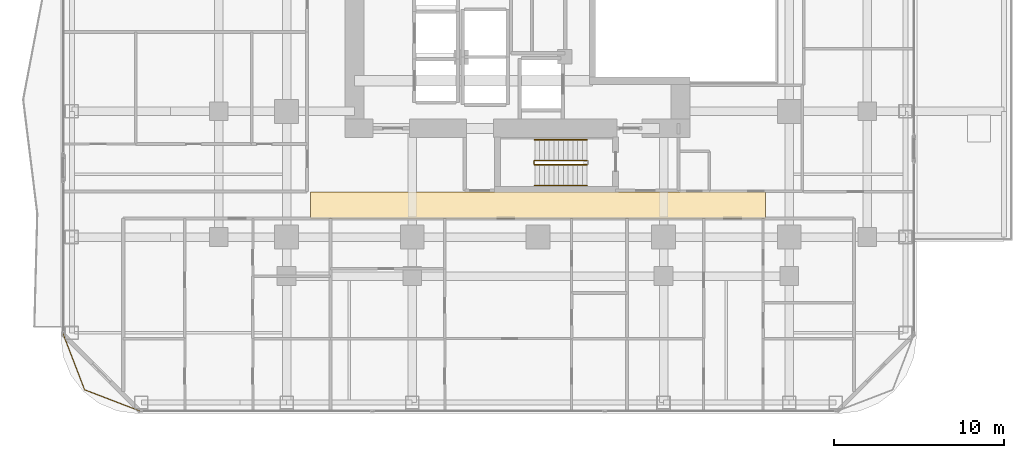
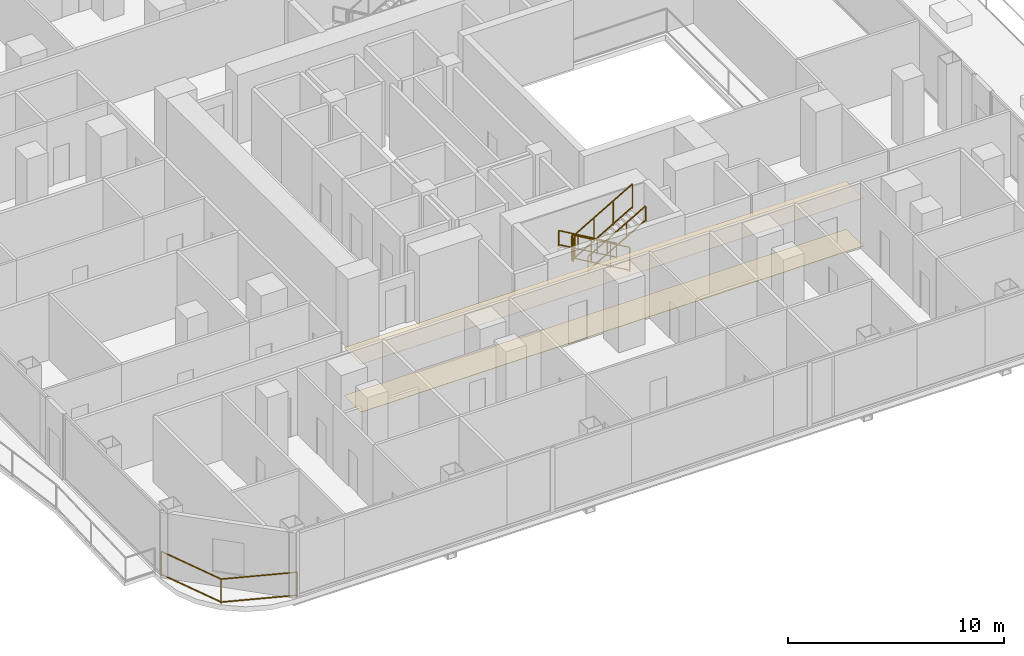
# One storey, part 25 of 29: 6 railings, 2 coverings.
"""IFC4 building model written with IfcOpenShell, lengths in metres."""

from ifc_helpers import new_model, si_unit, direction, frame, origin, origin_2d, place, context, subcontext, project, spatial, polyline, rectangle, outline, extrude, material, layer, layer_set, type_object, element, save


model = new_model("IFC4")

# Units and contexts
model_context = context("Model", 3, precision=1e-05, world=origin(), true_north=direction((0.0, 1.0)))
body_context = subcontext(model_context, "Body", "Model", "MODEL_VIEW")
ifc_project = project(units=[si_unit("LENGTHUNIT", "METRE"), si_unit("AREAUNIT", "SQUARE_METRE"), si_unit("VOLUMEUNIT", "CUBIC_METRE"), si_unit("PLANEANGLEUNIT", "RADIAN"), si_unit("MASSUNIT", "GRAM", prefix="KILO")], contexts=[model_context])

# Site, building, storey
site_placement = place(None, origin())
site = spatial("IfcSite", under=ifc_project, at=site_placement, CompositionType="ELEMENT")
building_placement = place(site_placement, origin())
building = spatial("IfcBuilding", under=site, at=building_placement, Name="Khorvyn Point Tower", CompositionType="ELEMENT")
storey_placement = place(building_placement, frame((0.0, 0.0, 54.0)))
storey = spatial("IfcBuildingStorey", under=building, at=storey_placement, Name="L14", CompositionType="ELEMENT", Elevation=54.0)

# Railing
ifc_material_1 = material(Name="Anodised aluminium 6063-T6 and laminated safety glass", Category="aluminium")
railing_type_1 = type_object("IfcRailingType", Name="Laminated Glass and Aluminium Balcony Guardrail 1400", PredefinedType="BALUSTRADE", material=ifc_material_1)
railing_1_placement = place(storey_placement, frame((-27.97412109375, -20.470703125, 0.0)))
element("IfcRailing", 1, at=railing_1_placement, inside=storey, type_object=railing_type_1, Name="L14 Rounded Corner Edge Guardrail SW", PredefinedType="BALUSTRADE", context=body_context, shape_type="SweptSolid", body=[
    extrude(rectangle(XDim=0.048095703125, YDim=0.048095703125, at=origin_2d()), frame((0.0, 0.0, 1.3759765625), z_axis=(0.35841886047, -0.933560882031, 0.0), x_axis=(0.933560882031, 0.35841886047, 0.0)), (0.0, 0.0, 1.0), 3.563232421875),
    extrude(rectangle(XDim=0.048095703125, YDim=0.048095703125, at=origin_2d()), frame((0.0, 0.0, 0.080078125), z_axis=(0.35841886047, -0.933560882031, 0.0), x_axis=(0.933560882031, 0.35841886047, 0.0)), (0.0, 0.0, 1.0), 3.563232421875),
    extrude(rectangle(XDim=0.048095703125, YDim=0.048095703125, at=origin_2d()), frame((1.277099609375, -3.326416015625, 1.3759765625), z_axis=(0.933575007025, -0.358382067435, 0.0), x_axis=(0.358382067435, 0.933575007025, 0.0)), (0.0, 0.0, 1.0), 3.562744140625),
    extrude(rectangle(XDim=0.048095703125, YDim=0.048095703125, at=origin_2d()), frame((1.277099609375, -3.326416015625, 0.080078125), z_axis=(0.933575007025, -0.358382067435, 0.0), x_axis=(0.358382067435, 0.933575007025, 0.0)), (0.0, 0.0, 1.0), 3.562744140625),
    extrude(rectangle(XDim=0.0419921875, YDim=0.0419921875, at=origin_2d()), origin(), (0.0, 0.0, 1.0), 1.351806640625),
    extrude(rectangle(XDim=0.0419921875, YDim=0.0419921875, at=origin_2d()), frame((1.277099609375, -3.326416015625, 0.0)), (0.0, 0.0, 1.0), 1.351806640625),
    extrude(rectangle(XDim=0.0419921875, YDim=0.0419921875, at=origin_2d()), frame((4.603271484375, -4.603271484375, 0.0)), (0.0, 0.0, 1.0), 1.351806640625),
])

# Coverings
ifc_material_2 = material(Name="Mineral-fibre acoustic ceiling board", Category="gypsum")
ifc_layer_1 = layer(ifc_material_2, 0.02001953125)
ifc_layer_set_1 = layer_set([ifc_layer_1], Name="Perforated Mineral-Fibre Acoustic Suspended Ceiling 20")
covering_type_1 = type_object("IfcCoveringType", Name="Perforated Mineral-Fibre Acoustic Suspended Ceiling 20", PredefinedType="CEILING", material=ifc_layer_set_1)
covering_1_placement = place(storey_placement, frame((0.0, 0.0, 2.699951171875)))
element("IfcCovering", 2, at=covering_1_placement, inside=storey, type_object=covering_type_1, Name="L14 South Corridor Acoustic Ceiling", PredefinedType="CEILING", context=body_context, shape_type="SweptSolid", body=[
    extrude(outline(polyline([(-13.39990234375, -13.7099609375), (13.39990234375, -13.7099609375), (13.39990234375, -12.139892578125), (-13.39990234375, -12.139892578125), (-13.39990234375, -13.7099609375)])), origin(), (0.0, 0.0, 1.0), 0.02001953125),
])
ifc_material_3 = material(Name="Vitrified porcelain terrazzo tile", Category="ceramic")
ifc_layer_2 = layer(ifc_material_3, 0.01806640625)
ifc_layer_set_2 = layer_set([ifc_layer_2], Name="Porcelain Terrazzo Corridor Floor Finish Tile 18")
covering_type_2 = type_object("IfcCoveringType", Name="Porcelain Terrazzo Corridor Floor Finish Tile 18", PredefinedType="FLOORING", material=ifc_layer_set_2)
covering_2_placement = place(storey_placement, origin())
element("IfcCovering", 3, at=covering_2_placement, inside=storey, type_object=covering_type_2, Name="L14 South Corridor Terrazzo Flooring", PredefinedType="FLOORING", context=body_context, shape_type="SweptSolid", body=[
    extrude(outline(polyline([(-13.39990234375, -13.7099609375), (13.39990234375, -13.7099609375), (13.39990234375, -12.139892578125), (-13.39990234375, -12.139892578125), (-13.39990234375, -13.7099609375)])), origin(), (0.0, 0.0, 1.0), 0.01806640625),
])

# Railings
ifc_material_4 = material(Name="Stainless steel 1.4301", Category="steel")
railing_type_2 = type_object("IfcRailingType", Name="Stainless Steel 304 Stair Pitch Handrail 900", PredefinedType="HANDRAIL", material=ifc_material_4)
railing_2_placement = place(storey_placement, frame((2.89990234375, -9.070068359375, 0.16259765625)))
element("IfcRailing", 4, at=railing_2_placement, inside=storey, type_object=railing_type_2, Name="L14 ST-01 stair handrail 1", PredefinedType="HANDRAIL", context=body_context, shape_type="SweptSolid", body=[
    extrude(rectangle(XDim=0.048095703125, YDim=0.048095703125, at=origin_2d()), frame((0.0, 0.0, 0.8759765625), z_axis=(-0.864903211148, 0.0, 0.501938676878), x_axis=(0.0, -1.0, 0.0)), (0.0, 0.0, 1.0), 3.560791015625),
    extrude(rectangle(XDim=0.048095703125, YDim=0.048095703125, at=origin_2d()), frame((0.0, 0.0, 0.080078125), z_axis=(-0.864903211148, 0.0, 0.501938676878), x_axis=(0.0, -1.0, 0.0)), (0.0, 0.0, 1.0), 3.560791015625),
    extrude(rectangle(XDim=0.0419921875, YDim=0.0419921875, at=origin_2d()), origin(), (0.0, 0.0, 1.0), 0.851806640625),
    extrude(rectangle(XDim=0.0419921875, YDim=0.0419921875, at=origin_2d()), frame((-1.026611328125, 0.0, 0.595703125)), (0.0, 0.0, 1.0), 0.851806640625),
    extrude(rectangle(XDim=0.0419921875, YDim=0.0419921875, at=origin_2d()), frame((-2.05322265625, 0.0, 1.191650390625)), (0.0, 0.0, 1.0), 0.851806640625),
    extrude(rectangle(XDim=0.0419921875, YDim=0.0419921875, at=origin_2d()), frame((-3.079833984375, 0.0, 1.787353515625)), (0.0, 0.0, 1.0), 0.851806640625),
])
railing_3_placement = place(storey_placement, frame((-0.179931640625, -11.77001953125, 2.112548828125)))
element("IfcRailing", 5, at=railing_3_placement, inside=storey, type_object=railing_type_2, Name="L14 ST-01 stair handrail 2", PredefinedType="HANDRAIL", context=body_context, shape_type="SweptSolid", body=[
    extrude(rectangle(XDim=0.048095703125, YDim=0.048095703125, at=origin_2d()), frame((0.0, 0.0, 0.8759765625), z_axis=(0.864903211148, 0.0, 0.501938676878), x_axis=(0.0, 1.0, 0.0)), (0.0, 0.0, 1.0), 3.560791015625),
    extrude(rectangle(XDim=0.048095703125, YDim=0.048095703125, at=origin_2d()), frame((0.0, 0.0, 0.080078125), z_axis=(0.864903211148, 0.0, 0.501938676878), x_axis=(0.0, 1.0, 0.0)), (0.0, 0.0, 1.0), 3.560791015625),
    extrude(rectangle(XDim=0.0419921875, YDim=0.0419921875, at=origin_2d()), origin(), (0.0, 0.0, 1.0), 0.851806640625),
    extrude(rectangle(XDim=0.0419921875, YDim=0.0419921875, at=origin_2d()), frame((1.026611328125, 0.0, 0.595703125)), (0.0, 0.0, 1.0), 0.851806640625),
    extrude(rectangle(XDim=0.0419921875, YDim=0.0419921875, at=origin_2d()), frame((2.05322265625, 0.0, 1.191650390625)), (0.0, 0.0, 1.0), 0.851806640625),
    extrude(rectangle(XDim=0.0419921875, YDim=0.0419921875, at=origin_2d()), frame((3.079833984375, 0.0, 1.787353515625)), (0.0, 0.0, 1.0), 0.851806640625),
])
railing_type_3 = type_object("IfcRailingType", Name="Stainless Steel 304 Stair Well Guardrail 1400", PredefinedType="GUARDRAIL", material=ifc_material_4)
railing_4_placement = place(storey_placement, frame((2.89990234375, -10.2900390625, 0.16259765625)))
element("IfcRailing", 6, at=railing_4_placement, inside=storey, type_object=railing_type_3, Name="L14 ST-01 stair guard 1", PredefinedType="GUARDRAIL", context=body_context, shape_type="SweptSolid", body=[
    extrude(rectangle(XDim=0.048095703125, YDim=0.048095703125, at=origin_2d()), frame((0.0, 0.0, 1.3759765625), z_axis=(-0.864903211148, 0.0, 0.501938676878), x_axis=(0.0, -1.0, 0.0)), (0.0, 0.0, 1.0), 3.560791015625),
    extrude(rectangle(XDim=0.048095703125, YDim=0.048095703125, at=origin_2d()), frame((0.0, 0.0, 0.080078125), z_axis=(-0.864903211148, 0.0, 0.501938676878), x_axis=(0.0, -1.0, 0.0)), (0.0, 0.0, 1.0), 3.560791015625),
    extrude(rectangle(XDim=0.0419921875, YDim=0.0419921875, at=origin_2d()), origin(), (0.0, 0.0, 1.0), 1.351806640625),
    extrude(rectangle(XDim=0.0419921875, YDim=0.0419921875, at=origin_2d()), frame((-1.026611328125, 0.0, 0.595703125)), (0.0, 0.0, 1.0), 1.351806640625),
    extrude(rectangle(XDim=0.0419921875, YDim=0.0419921875, at=origin_2d()), frame((-2.05322265625, 0.0, 1.191650390625)), (0.0, 0.0, 1.0), 1.351806640625),
    extrude(rectangle(XDim=0.0419921875, YDim=0.0419921875, at=origin_2d()), frame((-3.079833984375, 0.0, 1.787353515625)), (0.0, 0.0, 1.0), 1.351806640625),
])
railing_5_placement = place(storey_placement, frame((-0.22998046875, -10.340087890625, 1.949951171875)))
element("IfcRailing", 7, at=railing_5_placement, inside=storey, type_object=railing_type_3, Name="L14 ST-01 stair guard 2", PredefinedType="GUARDRAIL", context=body_context, shape_type="SweptSolid", body=[
    extrude(rectangle(XDim=0.048095703125, YDim=0.048095703125, at=origin_2d()), frame((0.0, 0.0, 1.3759765625), z_axis=(0.0, -1.0, 0.0), x_axis=(1.0, 0.0, 0.0)), (0.0, 0.0, 1.0), 0.159912109375),
    extrude(rectangle(XDim=0.048095703125, YDim=0.048095703125, at=origin_2d()), frame((0.0, 0.0, 0.080078125), z_axis=(0.0, -1.0, 0.0), x_axis=(1.0, 0.0, 0.0)), (0.0, 0.0, 1.0), 0.159912109375),
    extrude(rectangle(XDim=0.0419921875, YDim=0.0419921875, at=origin_2d()), origin(), (0.0, 0.0, 1.0), 1.351806640625),
    extrude(rectangle(XDim=0.0419921875, YDim=0.0419921875, at=origin_2d()), frame((0.0, -0.159912109375, 0.0)), (0.0, 0.0, 1.0), 1.351806640625),
])
railing_6_placement = place(storey_placement, frame((-0.179931640625, -10.550048828125, 2.112548828125)))
element("IfcRailing", 8, at=railing_6_placement, inside=storey, type_object=railing_type_3, Name="L14 ST-01 stair guard 3", PredefinedType="GUARDRAIL", context=body_context, shape_type="SweptSolid", body=[
    extrude(rectangle(XDim=0.048095703125, YDim=0.048095703125, at=origin_2d()), frame((0.0, 0.0, 1.3759765625), z_axis=(0.864903211148, 0.0, 0.501938676878), x_axis=(0.0, 1.0, 0.0)), (0.0, 0.0, 1.0), 3.560791015625),
    extrude(rectangle(XDim=0.048095703125, YDim=0.048095703125, at=origin_2d()), frame((0.0, 0.0, 0.080078125), z_axis=(0.864903211148, 0.0, 0.501938676878), x_axis=(0.0, 1.0, 0.0)), (0.0, 0.0, 1.0), 3.560791015625),
    extrude(rectangle(XDim=0.0419921875, YDim=0.0419921875, at=origin_2d()), origin(), (0.0, 0.0, 1.0), 1.351806640625),
    extrude(rectangle(XDim=0.0419921875, YDim=0.0419921875, at=origin_2d()), frame((1.026611328125, 0.0, 0.595703125)), (0.0, 0.0, 1.0), 1.351806640625),
    extrude(rectangle(XDim=0.0419921875, YDim=0.0419921875, at=origin_2d()), frame((2.05322265625, 0.0, 1.191650390625)), (0.0, 0.0, 1.0), 1.351806640625),
    extrude(rectangle(XDim=0.0419921875, YDim=0.0419921875, at=origin_2d()), frame((3.079833984375, 0.0, 1.787353515625)), (0.0, 0.0, 1.0), 1.351806640625),
])

save(model, "model.ifc")
